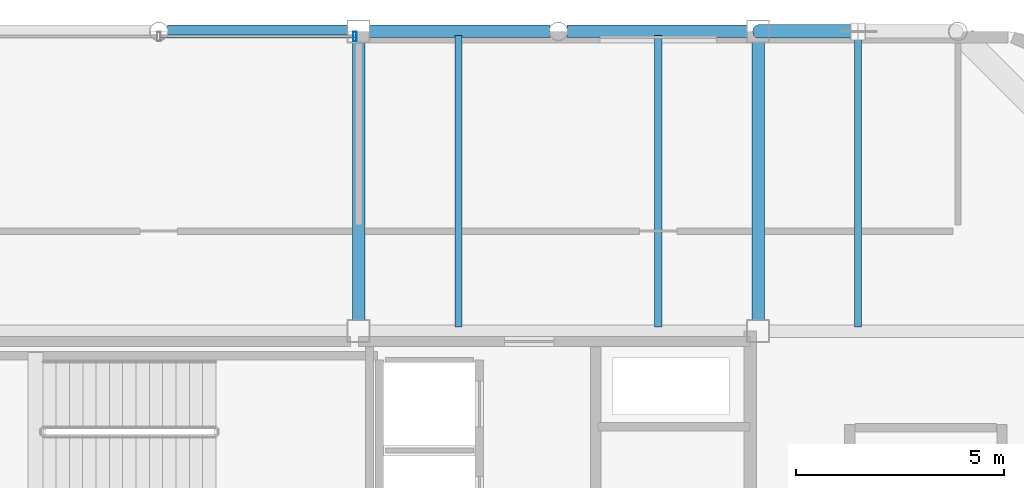
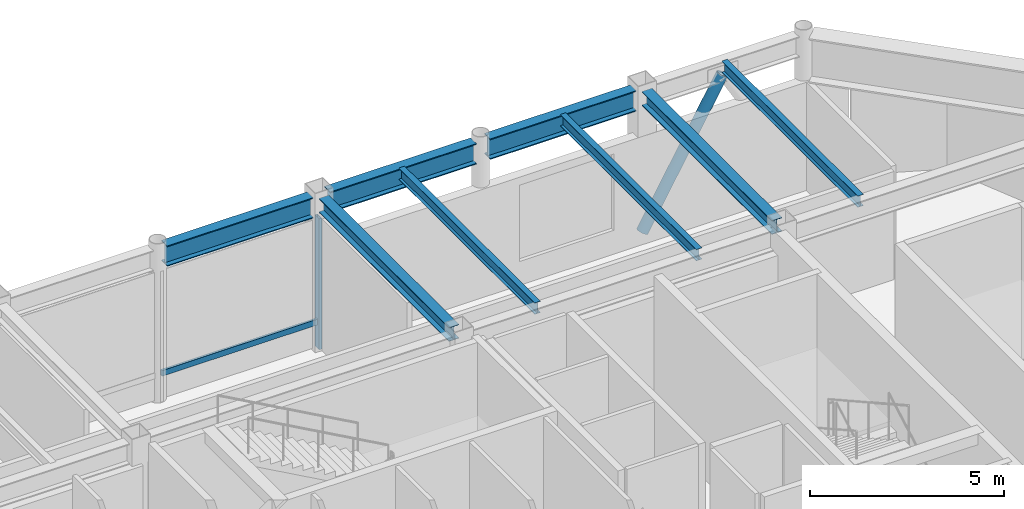
# One storey, part 14 of 21: 8 beams, 3 members, 1 element without a shape of its own.
"""IFC4 building model written with IfcOpenShell, lengths in metres."""

import ifcopenshell
import ifcopenshell.guid

model = None  # the IFC model being written
_history = None  # IfcOwnerHistory: only IFC2X3 demands one
_inside = {}  # id of a spatial element -> (the spatial element, [elements in it])
_under = {}  # id of a project, library or spatial element -> (it, [spatial elements below it])
_declared = {}  # id of a project -> (the project, [libraries it declares])
_typed = {}  # id of a type object -> (the type object, [elements of that type])
_made_of = {}  # id of a material, layer set ... -> (it, [elements and type objects made of it])


def new_model(schema):
    """Start an empty IFC model of exactly this schema.

    Asked for "IFC4X3", IfcOpenShell would pick the latest addendum, in which some entities
    have other attributes; the version numbers below select the first issue.
    IFC2X3 requires an IfcOwnerHistory on every rooted entity: one is made here for all.
    """
    global model, _history
    if schema == "IFC4X3":
        model = ifcopenshell.file(schema_version=(4, 3, 0, 0))
    else:
        model = ifcopenshell.file(schema=schema)
    _inside.clear()
    _under.clear()
    _declared.clear()
    _typed.clear()
    _made_of.clear()
    _history = None
    if model.schema == "IFC2X3":
        org = make("IfcOrganization", Name="unknown")
        user = make(
            "IfcPersonAndOrganization",
            ThePerson=make("IfcPerson", FamilyName="unknown"),
            TheOrganization=org,
        )
        app = make(
            "IfcApplication",
            ApplicationDeveloper=org,
            Version="unknown",
            ApplicationFullName="unknown",
            ApplicationIdentifier="unknown",
        )
        _history = make(
            "IfcOwnerHistory",
            OwningUser=user,
            OwningApplication=app,
            ChangeAction="ADDED",
            CreationDate=0,
        )
    return model


def make(cls, **values):
    """One entity of the class cls with the attributes given. An attribute that is None is left unset."""
    return model.create_entity(
        cls, **{name: value for name, value in values.items() if value is not None}
    )


def rooted(cls, **values):
    """An entity with a GlobalId (a new one), such as an element, a storey or a relation."""
    return make(cls, GlobalId=ifcopenshell.guid.new(), OwnerHistory=_history, **values)


def si_unit(unit_type, name, prefix=None):
    """IfcSIUnit, for example si_unit("LENGTHUNIT", "METRE", prefix="MILLI")."""
    return make("IfcSIUnit", UnitType=unit_type, Prefix=prefix, Name=name)


def assignment(units):
    """IfcUnitAssignment: the units of a project."""
    return None if units is None else make("IfcUnitAssignment", Units=units)


def point(xyz):
    """IfcCartesianPoint."""
    return None if xyz is None else make("IfcCartesianPoint", Coordinates=xyz)


def direction(xyz):
    """IfcDirection."""
    return None if xyz is None else make("IfcDirection", DirectionRatios=xyz)


def frame(location, z_axis=None, x_axis=None):
    """IfcAxis2Placement3D, a coordinate frame: its origin and axes. An axis left out is left unset."""
    return make(
        "IfcAxis2Placement3D",
        Location=point(location),
        Axis=direction(z_axis),
        RefDirection=direction(x_axis),
    )


def frame_2d(location, x_axis=None):
    """IfcAxis2Placement2D, a coordinate frame in the plane: its origin and x axis."""
    return make(
        "IfcAxis2Placement2D", Location=point(location), RefDirection=direction(x_axis)
    )


def origin():
    """The frame at (0, 0, 0) with its axes left unset."""
    return frame((0.0, 0.0, 0.0))


def origin_2d():
    """The frame at (0, 0) in the plane with its x axis left unset."""
    return frame_2d((0.0, 0.0))


def place(relative_to, where):
    """IfcLocalPlacement: puts the frame where relative to a parent placement (None: the world)."""
    return make(
        "IfcLocalPlacement", PlacementRelTo=relative_to, RelativePlacement=where
    )


def context(
    kind, dimensions, precision=None, world=None, true_north=None, identifier=None
):
    """IfcGeometricRepresentationContext, for example the 3D "Model" context."""
    return make(
        "IfcGeometricRepresentationContext",
        ContextIdentifier=identifier,
        ContextType=kind,
        CoordinateSpaceDimension=dimensions,
        Precision=precision,
        WorldCoordinateSystem=world,
        TrueNorth=true_north,
    )


def subcontext(parent, identifier, kind, view, scale=None):
    """IfcGeometricRepresentationSubContext, for example "Body" below "Model"."""
    return make(
        "IfcGeometricRepresentationSubContext",
        ContextIdentifier=identifier,
        ContextType=kind,
        ParentContext=parent,
        TargetScale=scale,
        TargetView=view,
    )


def project(units=None, contexts=None):
    """IfcProject with its units and contexts."""
    return rooted(
        "IfcProject",
        Name="project",
        RepresentationContexts=contexts,
        UnitsInContext=assignment(units),
    )


def spatial(cls, under=None, at=None, **own):
    """A site, building, storey or space (cls), placed at a placement, below another one or the project."""
    s = rooted(cls, ObjectPlacement=at, **own)
    if under is not None:
        _under.setdefault(under.id(), (under, []))[1].append(s)
    return s


def profile(cls, at=None, kind="AREA", **sizes):
    """A parametric profile (cls). Its sizes go by their IFC names, for example OverallWidth=200.0."""
    return make(cls, ProfileType=kind, Position=at, **sizes)


def hollow_rectangle(**sizes):
    """IfcRectangleHollowProfileDef."""
    return profile("IfcRectangleHollowProfileDef", **sizes)


def hollow_circle(**sizes):
    """IfcCircleHollowProfileDef."""
    return profile("IfcCircleHollowProfileDef", **sizes)


def i_section(**sizes):
    """IfcIShapeProfileDef."""
    return profile("IfcIShapeProfileDef", **sizes)


def extrude(swept, where, along, depth):
    """IfcExtrudedAreaSolid: the profile swept, set in the frame where, extruded along a direction by depth."""
    return make(
        "IfcExtrudedAreaSolid",
        SweptArea=swept,
        Position=where,
        ExtrudedDirection=direction(along),
        Depth=depth,
    )


def shape(context_of_items, identifier, shape_type, items):
    """IfcShapeRepresentation: the items that make up one representation, for example the "Body"."""
    return make(
        "IfcShapeRepresentation",
        ContextOfItems=context_of_items,
        RepresentationIdentifier=identifier,
        RepresentationType=shape_type,
        Items=items,
    )


def material(Name=None, Category=None):
    """IfcMaterial."""
    return make("IfcMaterial", Name=Name, Category=Category)


def layer(
    of_material, thickness, ventilated=None, Name=None, Category=None, Priority=None
):
    """IfcMaterialLayer: one layer of a wall or slab, of a material (None: an air gap)."""
    return make(
        "IfcMaterialLayer",
        Material=of_material,
        LayerThickness=thickness,
        IsVentilated=ventilated,
        Name=Name,
        Category=Category,
        Priority=Priority,
    )


def layer_set(layers, Name=None):
    """IfcMaterialLayerSet."""
    return make("IfcMaterialLayerSet", MaterialLayers=layers, LayerSetName=Name)


def material_profile(
    of_material, cross_section, Name=None, Category=None, Priority=None
):
    """IfcMaterialProfile: a cross section and its material."""
    return make(
        "IfcMaterialProfile",
        Name=Name,
        Material=of_material,
        Profile=cross_section,
        Priority=Priority,
        Category=Category,
    )


def profile_set(profiles, Name=None, composite=None):
    """IfcMaterialProfileSet."""
    return make(
        "IfcMaterialProfileSet",
        Name=Name,
        MaterialProfiles=profiles,
        CompositeProfile=composite,
    )


def made_of(thing, what):
    """Note that an element or type object is made of a material, layer set ...; save() writes the relation."""
    if what is not None:
        _made_of.setdefault(what.id(), (what, []))[1].append(thing)
    return thing


def type_object(cls, material=None, **own):
    """A type object (cls), such as IfcWallType, which elements share."""
    return made_of(rooted(cls, **own), material)


def element(
    cls,
    number,
    at=None,
    inside=None,
    cuts=None,
    type_object=None,
    material=None,
    context=None,
    identifier="Body",
    shape_type=None,
    held_by="IfcProductDefinitionShape",
    body=None,
    shapes=None,
    **own,
):
    """One element of the class cls, such as IfcWall. Its Tag is "e" and its number.

    at: its placement. inside: the storey or other place that contains it. cuts: it is an
    opening in that element (IfcRelVoidsElement). A single representation is given by context,
    identifier, shape_type and body (its items); several are given by shapes. held_by: the class
    of the entity that holds the representations. save() writes the other relations.
    """
    e = rooted(cls, Tag="e%d" % number, ObjectPlacement=at, **own)
    if body is not None:
        shapes = [shape(context, identifier, shape_type, body)]
    if shapes is not None:
        e.Representation = make(held_by, Representations=shapes)
    if inside is not None:
        _inside.setdefault(inside.id(), (inside, []))[1].append(e)
    if cuts is not None:
        rooted(
            "IfcRelVoidsElement", RelatingBuildingElement=cuts, RelatedOpeningElement=e
        )
    if type_object is not None:
        _typed.setdefault(type_object.id(), (type_object, []))[1].append(e)
    return made_of(e, material)


def aggregate(whole, parts):
    """IfcRelAggregates: a whole, such as a stair, and the parts it consists of."""
    return rooted("IfcRelAggregates", RelatingObject=whole, RelatedObjects=parts)


def save(model, path):
    """Write the relations noted so far, then the file.

    IfcRelAggregates (storeys below a building ...), IfcRelContainedInSpatialStructure (elements
    in a storey), IfcRelDefinesByType, IfcRelAssociatesMaterial and IfcRelDeclares: one each for
    every whole, place, type object, material and project.
    """
    for whole, parts in _under.values():
        aggregate(whole, parts)
    for where, things in _inside.values():
        rooted(
            "IfcRelContainedInSpatialStructure",
            RelatedElements=things,
            RelatingStructure=where,
        )
    for kind, things in _typed.values():
        rooted("IfcRelDefinesByType", RelatedObjects=things, RelatingType=kind)
    for what, things in _made_of.values():
        rooted("IfcRelAssociatesMaterial", RelatedObjects=things, RelatingMaterial=what)
    for by, libraries in _declared.values():
        rooted("IfcRelDeclares", RelatingContext=by, RelatedDefinitions=libraries)
    model.write(path)


model = new_model("IFC4")

# Units and contexts
model_context = context("Model", 3, precision=1e-05, world=origin(), true_north=direction((0.0, 1.0)))
body_context = subcontext(model_context, "Body", "Model", "MODEL_VIEW")
ifc_project = project(units=[si_unit("LENGTHUNIT", "METRE"), si_unit("AREAUNIT", "SQUARE_METRE"), si_unit("VOLUMEUNIT", "CUBIC_METRE"), si_unit("PLANEANGLEUNIT", "RADIAN"), si_unit("MASSUNIT", "GRAM", prefix="KILO")], contexts=[model_context])

# Site, building, storey
site_placement = place(None, origin())
site = spatial("IfcSite", under=ifc_project, at=site_placement, CompositionType="ELEMENT")
building_placement = place(site_placement, origin())
building = spatial("IfcBuilding", under=site, at=building_placement, Name="Kallvorn Hotel Tower", CompositionType="ELEMENT")
storey_placement = place(building_placement, frame((0.0, 0.0, 295.60009765625)))
storey = spatial("IfcBuildingStorey", under=building, at=storey_placement, Name="L73", CompositionType="ELEMENT", Elevation=295.60009765625)

# Beams
ifc_material_1 = material(Name="Structural steel S355JR", Category="steel")
ifc_material_profile_1 = material_profile(ifc_material_1, i_section(OverallWidth=0.300048828125, OverallDepth=0.43994140625, WebThickness=0.011474609375, FlangeThickness=0.02099609375, at=origin_2d()), Name="HE 450 A")
ifc_profile_set_1 = profile_set([ifc_material_profile_1], Name="Structural steel S355JR")
beam_type_1 = type_object("IfcBeamType", Name="BM_HE450A", PredefinedType="BEAM", material=ifc_profile_set_1)
for number, where, z_axis, x_axis, name in (
    (1, (4.800048828125, 7.449951171875, 4.579833984375), (0.0, 1.0, 0.0), (-1.0, 0.0, 0.0), "L74 Primary Y-Girder 42"),
    (2, (14.39990234375, 7.449951171875, 4.579833984375), (0.0, 1.0, 0.0), (-1.0, 0.0, 0.0), "L74 Primary Y-Girder 45"),
):
    element("IfcBeam", number, at=place(storey_placement, frame(where, z_axis=z_axis, x_axis=x_axis)), inside=storey, type_object=beam_type_1, Name=name, PredefinedType="BEAM", context=body_context, shape_type="SweptSolid", body=[
        extrude(i_section(OverallWidth=0.300048828125, OverallDepth=0.43994140625, WebThickness=0.011474609375, FlangeThickness=0.02099609375, at=origin_2d()), origin(), (0.0, 0.0, 1.0), 6.699951171875),
    ])
ifc_material_2 = material(Name="Structural steel S355JR", Category="steel")
ifc_material_profile_2 = material_profile(ifc_material_2, i_section(OverallWidth=0.300048828125, OverallDepth=0.64990234375, WebThickness=0.01611328125, FlangeThickness=0.031005859375, at=origin_2d()), Name="HE 650 B")
ifc_profile_set_2 = profile_set([ifc_material_profile_2], Name="Structural steel S355JR")
beam_type_2 = type_object("IfcBeamType", Name="BM_HE650B", PredefinedType="BEAM", material=ifc_profile_set_2)
for number, where, z_axis, x_axis, name in (
    (3, (0.20361328125, 14.39990234375, 4.474853515625), (1.0, 0.0, 0.0), (0.0, 1.0, 0.0), "L74 Primary X-Girder 21"),
    (4, (5.050048828125, 14.39990234375, 4.474853515625), (1.0, 0.0, 0.0), (0.0, 1.0, 0.0), "L74 Primary X-Girder 22"),
    (5, (9.803466796875, 14.39990234375, 4.474853515625), (1.0, 0.0, 0.0), (0.0, 1.0, 0.0), "L74 Primary X-Girder 23"),
):
    element("IfcBeam", number, at=place(storey_placement, frame(where, z_axis=z_axis, x_axis=x_axis)), inside=storey, type_object=beam_type_2, Name=name, PredefinedType="BEAM", context=body_context, shape_type="SweptSolid", body=[
        extrude(i_section(OverallWidth=0.300048828125, OverallDepth=0.64990234375, WebThickness=0.01611328125, FlangeThickness=0.031005859375, at=origin_2d()), origin(), (0.0, 0.0, 1.0), 4.346435546875),
    ])
ifc_material_3 = material(Name="Structural steel S355JR", Category="steel")
ifc_material_profile_3 = material_profile(ifc_material_3, i_section(OverallWidth=0.169921875, OverallDepth=0.360107421875, WebThickness=0.008056640625, FlangeThickness=0.0126953125, at=origin_2d()), Name="IPE 360")
ifc_profile_set_3 = profile_set([ifc_material_profile_3], Name="Structural steel S355JR")
beam_type_3 = type_object("IfcBeamType", Name="BM_IPE360", PredefinedType="JOIST", material=ifc_profile_set_3)
for number, where, z_axis, x_axis, name in (
    (6, (7.199951171875, 7.300048828125, 4.619873046875), (0.0, 1.0, 0.0), (-1.0, 0.0, 0.0), "L74 Secondary Composite Joist 100"),
    (7, (12.0, 7.300048828125, 4.619873046875), (0.0, 1.0, 0.0), (-1.0, 0.0, 0.0), "L74 Secondary Composite Joist 102"),
    (8, (16.800048828125, 7.300048828125, 4.619873046875), (0.0, 1.0, 0.0), (-1.0, 0.0, 0.0), "L74 Secondary Composite Joist 104"),
):
    element("IfcBeam", number, at=place(storey_placement, frame(where, z_axis=z_axis, x_axis=x_axis)), inside=storey, type_object=beam_type_3, Name=name, PredefinedType="JOIST", context=body_context, shape_type="SweptSolid", body=[
        extrude(i_section(OverallWidth=0.169921875, OverallDepth=0.360107421875, WebThickness=0.008056640625, FlangeThickness=0.0126953125, at=origin_2d()), origin(), (0.0, 0.0, 1.0), 7.0),
    ])

# Curtain wall, members
ifc_material_4 = material(Name="Thermally broken black-anodised aluminium AA 6063-T6", Category="aluminium")
ifc_layer = layer(ifc_material_4, 0.25)
ifc_layer_set = layer_set([ifc_layer], Name="CW_SYS_6_SUMMIT_OBS")
curtain_wall_type = type_object("IfcCurtainWallType", Name="CW_SYS_6_SUMMIT_OBS", PredefinedType="USERDEFINED", material=ifc_layer_set)
curtain_wall_placement = place(storey_placement, origin())
curtain_wall = element("IfcCurtainWall", 9, at=curtain_wall_placement, inside=storey, type_object=curtain_wall_type, Name="L73 Dark-Glass Curtain Wall CW-L73-NC", ObjectType="UNITISED CURTAIN WALL", PredefinedType="USERDEFINED")
ifc_material_5 = material(Name="Thermally broken black-anodised aluminium AA 6063-T6", Category="aluminium")
ifc_material_profile_4 = material_profile(ifc_material_5, hollow_rectangle(XDim=0.080078125, YDim=0.219970703125, WallThickness=0.0048828125, at=origin_2d()), Name="MUL 220x80")
ifc_profile_set_4 = profile_set([ifc_material_profile_4], Name="Thermally broken black-anodised aluminium AA 6063-T6")
member_type_1 = type_object("IfcMemberType", Name="CW_MULLION_220x80", PredefinedType="MULLION", material=ifc_profile_set_4)
member_1_placement = place(storey_placement, frame((4.7099609375, 14.280029296875, 0.02001953125), z_axis=(0.0, 0.0, 1.0), x_axis=(1.0, 0.0, 0.0)))
member_1 = element("IfcMember", 10, at=member_1_placement, type_object=member_type_1, Name="CW-L73-NC Mullion 02", PredefinedType="MULLION", context=body_context, shape_type="SweptSolid", body=[
    extrude(hollow_rectangle(XDim=0.080078125, YDim=0.219970703125, WallThickness=0.0048828125, at=origin_2d()), origin(), (0.0, 0.0, 1.0), 4.10986328125),
])
ifc_material_6 = material(Name="Thermally broken black-anodised aluminium AA 6063-T6", Category="aluminium")
ifc_material_profile_5 = material_profile(ifc_material_6, hollow_rectangle(XDim=0.070068359375, YDim=0.179931640625, WallThickness=0.00390625, at=origin_2d()), Name="TRN 180x70")
ifc_profile_set_5 = profile_set([ifc_material_profile_5], Name="Thermally broken black-anodised aluminium AA 6063-T6")
member_type_2 = type_object("IfcMemberType", Name="CW_TRANSOM_180x70", PredefinedType="USERDEFINED", material=ifc_profile_set_5)
member_2_placement = place(storey_placement, frame((0.0400390625, 14.280029296875, 0.849853515625), z_axis=(1.0, 0.0, 0.0), x_axis=(0.0, 1.0, 0.0)))
member_2 = element("IfcMember", 11, at=member_2_placement, type_object=member_type_2, Name="CW-L73-NC Transom 01M", ObjectType="TRANSOM", PredefinedType="USERDEFINED", context=body_context, shape_type="SweptSolid", body=[
    extrude(hollow_rectangle(XDim=0.070068359375, YDim=0.179931640625, WallThickness=0.00390625, at=origin_2d()), origin(), (0.0, 0.0, 1.0), 4.669921875),
])
aggregate(curtain_wall, [member_1, member_2])

# Member
ifc_material_7 = material(Name="Structural steel S355J2H", Category="steel")
ifc_material_profile_6 = material_profile(ifc_material_7, hollow_circle(Radius=0.161865234375, WallThickness=0.012451171875, at=origin_2d()), Name="CHS 323.9x12.5")
ifc_profile_set_6 = profile_set([ifc_material_profile_6], Name="Structural steel S355J2H")
member_type_3 = type_object("IfcMemberType", Name="MBR_EXO_CHS323", PredefinedType="BRACE", material=ifc_profile_set_6)
member_3_placement = place(storey_placement, frame((14.409912109375, 14.39990234375, 0.197265625), z_axis=(0.499750558989, 0.0, 0.866169370729), x_axis=(0.0, 1.0, 0.0)))
element("IfcMember", 12, at=member_3_placement, inside=storey, type_object=member_type_3, Name="L73 Exoskeleton K-Brace N2A", PredefinedType="BRACE", context=body_context, shape_type="SweptSolid", body=[
    extrude(hollow_circle(Radius=0.161865234375, WallThickness=0.012451171875, at=origin_2d()), origin(), (0.0, 0.0, 1.0), 4.7626953125),
])

save(model, "model.ifc")
